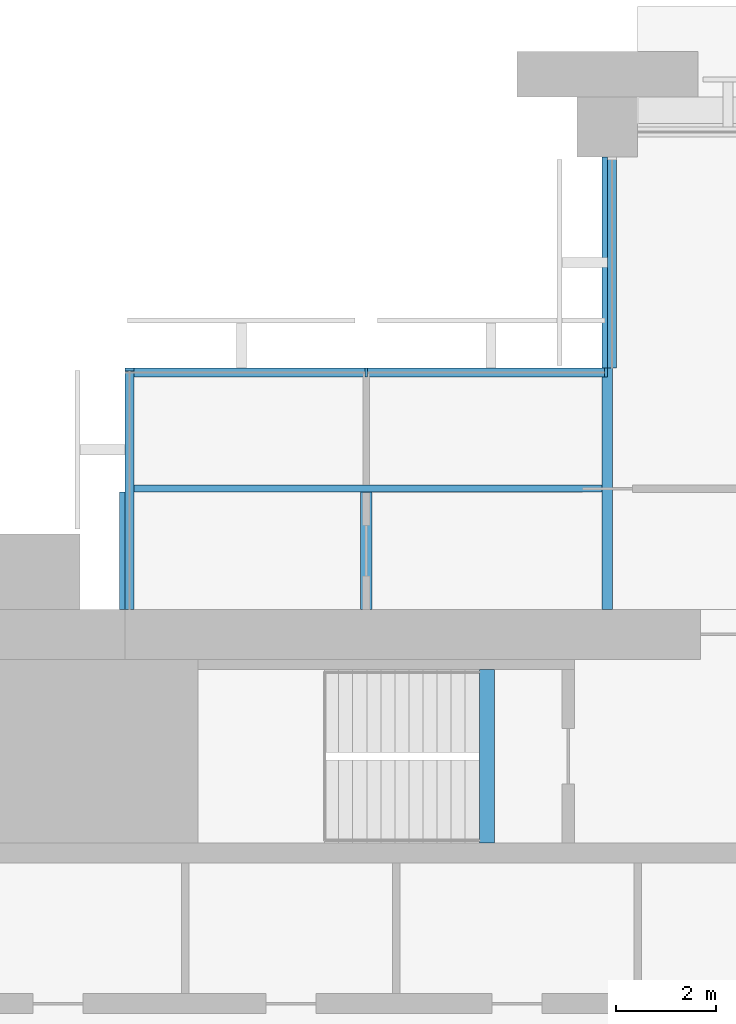
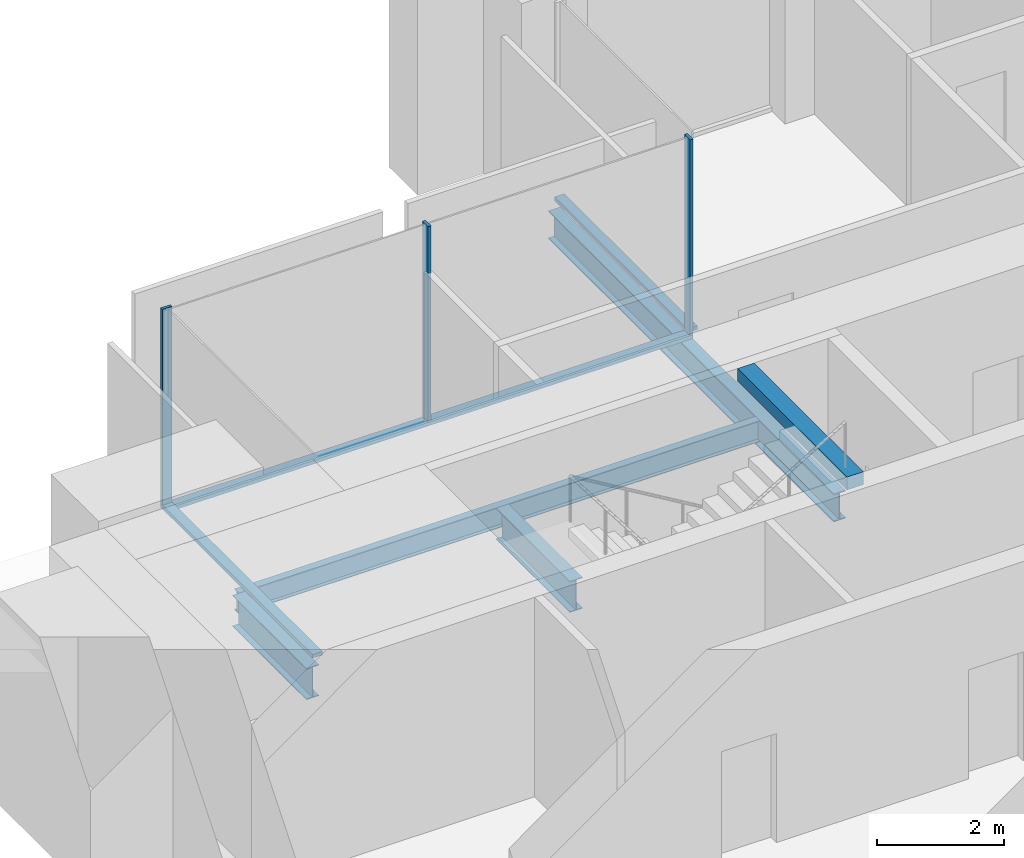
# One storey, part 5 of 15: 6 members, 5 beams, 3 elements without a shape of their own.
"""IFC4 building model written with IfcOpenShell, lengths in metres."""

from ifc_helpers import new_model, si_unit, direction, frame, origin, origin_2d, place, context, subcontext, project, spatial, rectangle, i_section, extrude, material, material_profile, profile_set, type_object, element, aggregate, save


model = new_model("IFC4")

# Units and contexts
model_context = context("Model", 3, precision=1e-05, world=origin(), true_north=direction((0.0, 1.0)))
body_context = subcontext(model_context, "Body", "Model", "MODEL_VIEW")
ifc_project = project(units=[si_unit("LENGTHUNIT", "METRE"), si_unit("AREAUNIT", "SQUARE_METRE"), si_unit("VOLUMEUNIT", "CUBIC_METRE"), si_unit("PLANEANGLEUNIT", "RADIAN"), si_unit("MASSUNIT", "GRAM", prefix="KILO")], contexts=[model_context])

# Site, building, storey
site_placement = place(None, origin())
site = spatial("IfcSite", under=ifc_project, at=site_placement, CompositionType="ELEMENT")
building_placement = place(site_placement, origin())
building = spatial("IfcBuilding", under=site, at=building_placement, Name="Baori Bourse Tower", CompositionType="ELEMENT")
storey_placement = place(building_placement, frame((0.0, 0.0, 140.10009765625)))
storey = spatial("IfcBuildingStorey", under=building, at=storey_placement, Name="L30", CompositionType="ELEMENT", Elevation=140.10009765625)

# Curtain wall, members
ifc_material_1 = material(Name="Pale anodised aluminium", Category="aluminium")
curtain_wall_type = type_object("IfcCurtainWallType", Name="CW2 Curtain wall", PredefinedType="NOTDEFINED", material=ifc_material_1)
curtain_wall_1_placement = place(storey_placement, origin())
curtain_wall_1 = element("IfcCurtainWall", 1, at=curtain_wall_1_placement, inside=storey, type_object=curtain_wall_type, Name="Curtain wall CW2 L30 8", PredefinedType="NOTDEFINED")
ifc_material_2 = material(Name="Pale anodised aluminium", Category="aluminium")
ifc_material_profile_1 = material_profile(ifc_material_2, rectangle(XDim=0.179931640625, YDim=0.054931640625, at=origin_2d()), Name="Mullion 55x180")
ifc_profile_set_1 = profile_set([ifc_material_profile_1], Name="Pale anodised aluminium")
member_type_1 = type_object("IfcMemberType", Name="CW2 Curtain wall mullion", PredefinedType="MULLION", material=ifc_profile_set_1)
member_1_placement = place(storey_placement, frame((14.37255859375, 43.110107421875, 0.06982421875), z_axis=(0.0, 0.0, 1.0), x_axis=(0.0, -1.0, 0.0)))
member_1 = element("IfcMember", 2, at=member_1_placement, type_object=member_type_1, Name="Curtain wall CW2 mullion", PredefinedType="MULLION", context=body_context, shape_type="SweptSolid", body=[
    extrude(rectangle(XDim=0.179931640625, YDim=0.054931640625, at=origin_2d()), origin(), (0.0, 0.0, 1.0), 3.77001953125),
])
member_2_placement = place(storey_placement, frame((9.60009765625, 43.110107421875, 0.06982421875), z_axis=(0.0, 0.0, 1.0), x_axis=(0.0, -1.0, 0.0)))
member_2 = element("IfcMember", 3, at=member_2_placement, type_object=member_type_1, Name="Curtain wall CW2 mullion", PredefinedType="MULLION", context=body_context, shape_type="SweptSolid", body=[
    extrude(rectangle(XDim=0.179931640625, YDim=0.054931640625, at=origin_2d()), origin(), (0.0, 0.0, 1.0), 3.77001953125),
])

# Curtain wall, member
curtain_wall_2_placement = place(storey_placement, origin())
curtain_wall_2 = element("IfcCurtainWall", 4, at=curtain_wall_2_placement, inside=storey, type_object=curtain_wall_type, Name="Curtain wall CW2 L30 9", PredefinedType="NOTDEFINED")
member_3_placement = place(storey_placement, frame((4.889892578125, 43.172607421875, 0.06982421875), z_axis=(0.0, 0.0, 1.0), x_axis=(1.0, 0.0, 0.0)))
member_3 = element("IfcMember", 5, at=member_3_placement, type_object=member_type_1, Name="Curtain wall CW2 mullion", PredefinedType="MULLION", context=body_context, shape_type="SweptSolid", body=[
    extrude(rectangle(XDim=0.179931640625, YDim=0.054931640625, at=origin_2d()), origin(), (0.0, 0.0, 1.0), 3.77001953125),
])

curtain_wall_3_placement = place(storey_placement, origin())
curtain_wall_3 = element("IfcCurtainWall", 6, at=curtain_wall_3_placement, inside=storey, type_object=curtain_wall_type, Name="Curtain wall CW2 L30 7", PredefinedType="NOTDEFINED")
ifc_material_3 = material(Name="Pale anodised aluminium", Category="aluminium")
ifc_material_profile_2 = material_profile(ifc_material_3, rectangle(XDim=0.179931640625, YDim=0.070068359375, at=origin_2d()), Name="Transom 70x180")
ifc_profile_set_2 = profile_set([ifc_material_profile_2], Name="Pale anodised aluminium")
member_type_2 = type_object("IfcMemberType", Name="CW2 Curtain wall transom", PredefinedType="USERDEFINED", material=ifc_profile_set_2)
member_4_placement = place(storey_placement, frame((14.489990234375, 47.39990234375, 0.034912109375), z_axis=(0.0, -1.0, 0.0), x_axis=(1.0, 0.0, 0.0)))
member_4 = element("IfcMember", 7, at=member_4_placement, type_object=member_type_2, Name="Curtain wall CW2 sill rail", ObjectType="TRANSOM", PredefinedType="USERDEFINED", context=body_context, shape_type="SweptSolid", body=[
    extrude(rectangle(XDim=0.179931640625, YDim=0.070068359375, at=origin_2d()), origin(), (0.0, 0.0, 1.0), 4.199951171875),
])
aggregate(curtain_wall_3, [member_4])

# Member
member_5_placement = place(storey_placement, frame((14.39990234375, 43.110107421875, 0.034912109375), z_axis=(-1.0, 0.0, 0.0), x_axis=(0.0, -1.0, 0.0)))
member_5 = element("IfcMember", 8, at=member_5_placement, type_object=member_type_2, Name="Curtain wall CW2 sill rail", ObjectType="TRANSOM", PredefinedType="USERDEFINED", context=body_context, shape_type="SweptSolid", body=[
    extrude(rectangle(XDim=0.179931640625, YDim=0.070068359375, at=origin_2d()), origin(), (0.0, 0.0, 1.0), 9.599853515625),
])

aggregate(curtain_wall_1, [member_5, member_1, member_2])

member_6_placement = place(storey_placement, frame((4.889892578125, 43.199951171875, 0.034912109375), z_axis=(0.0, -1.0, 0.0), x_axis=(1.0, 0.0, 0.0)))
member_6 = element("IfcMember", 9, at=member_6_placement, type_object=member_type_2, Name="Curtain wall CW2 sill rail", ObjectType="TRANSOM", PredefinedType="USERDEFINED", context=body_context, shape_type="SweptSolid", body=[
    extrude(rectangle(XDim=0.179931640625, YDim=0.070068359375, at=origin_2d()), origin(), (0.0, 0.0, 1.0), 4.800048828125),
])

aggregate(curtain_wall_2, [member_6, member_3])

# Beams
ifc_material_4 = material(Name="Steel A992 Gr 50", Category="steel")
ifc_material_profile_3 = material_profile(ifc_material_4, i_section(OverallWidth=0.227783203125, OverallDepth=0.60205078125, WebThickness=0.010498046875, FlangeThickness=0.014892578125, at=origin_2d()), Name="W24x68")
ifc_profile_set_3 = profile_set([ifc_material_profile_3], Name="Steel A992 Gr 50")
beam_type_1 = type_object("IfcBeamType", Name="Core bracket W24x68", PredefinedType="BEAM", material=ifc_profile_set_3)
for number, where, z_axis, x_axis, name in (
    (10, (4.800048828125, 38.39990234375, -0.461181640625), (0.0, 1.0, 0.0), (-1.0, 0.0, 0.0), "Core bracket L30"),
    (11, (9.60009765625, 38.39990234375, -0.461181640625), (0.0, 1.0, 0.0), (-1.0, 0.0, 0.0), "Core bracket L30"),
):
    element("IfcBeam", number, at=place(storey_placement, frame(where, z_axis=z_axis, x_axis=x_axis)), inside=storey, type_object=beam_type_1, Name=name, PredefinedType="BEAM", context=body_context, shape_type="SweptSolid", body=[
        extrude(i_section(OverallWidth=0.227783203125, OverallDepth=0.60205078125, WebThickness=0.010498046875, FlangeThickness=0.014892578125, at=origin_2d()), origin(), (0.0, 0.0, 1.0), 2.329833984375),
    ])
ifc_material_5 = material(Name="Steel A992 Gr 50", Category="steel")
ifc_material_profile_4 = material_profile(ifc_material_5, i_section(OverallWidth=0.21240234375, OverallDepth=0.54345703125, WebThickness=0.01318359375, FlangeThickness=0.021240234375, at=origin_2d()), Name="W21x83")
ifc_profile_set_4 = profile_set([ifc_material_profile_4], Name="Steel A992 Gr 50")
beam_type_2 = type_object("IfcBeamType", Name="Floor beam W21x83", PredefinedType="BEAM", material=ifc_profile_set_4)
beam_1_placement = place(storey_placement, frame((14.39990234375, 38.39990234375, -0.431884765625), z_axis=(0.0, 1.0, 0.0), x_axis=(-1.0, 0.0, 0.0)))
element("IfcBeam", 12, at=beam_1_placement, inside=storey, type_object=beam_type_2, Name="Floor beam L30", PredefinedType="BEAM", context=body_context, shape_type="SweptSolid", body=[
    extrude(i_section(OverallWidth=0.21240234375, OverallDepth=0.54345703125, WebThickness=0.01318359375, FlangeThickness=0.021240234375, at=origin_2d()), origin(), (0.0, 0.0, 1.0), 9.0),
])
ifc_material_6 = material(Name="Concrete f'c 50 MPa", Category="concrete")
ifc_material_profile_5 = material_profile(ifc_material_6, rectangle(XDim=0.300048828125, YDim=0.25, at=origin_2d()), Name="RC 300x250")
ifc_profile_set_5 = profile_set([ifc_material_profile_5], Name="Concrete f'c 50 MPa")
beam_type_3 = type_object("IfcBeamType", Name="Stair nib beam RC 300x250", PredefinedType="BEAM", material=ifc_profile_set_5)
beam_2_placement = place(storey_placement, frame((12.0, 33.75, 3.71484375), z_axis=(0.0, 1.0, 0.0), x_axis=(-1.0, 0.0, 0.0)))
element("IfcBeam", 13, at=beam_2_placement, inside=storey, type_object=beam_type_3, Name="Stair WB nib beam L31", PredefinedType="BEAM", context=body_context, shape_type="SweptSolid", body=[
    extrude(rectangle(XDim=0.300048828125, YDim=0.25, at=origin_2d()), origin(), (0.0, 0.0, 1.0), 3.449951171875),
])
ifc_material_7 = material(Name="Steel A992 Gr 50", Category="steel")
ifc_material_profile_6 = material_profile(ifc_material_7, i_section(OverallWidth=0.140380859375, OverallDepth=0.40380859375, WebThickness=0.007080078125, FlangeThickness=0.01123046875, at=origin_2d()), Name="W16x31")
ifc_profile_set_6 = profile_set([ifc_material_profile_6], Name="Steel A992 Gr 50")
beam_type_4 = type_object("IfcBeamType", Name="Trimmer beam W16x31", PredefinedType="BEAM", material=ifc_profile_set_6)
beam_3_placement = place(storey_placement, frame((4.800048828125, 40.800048828125, -0.362060546875), z_axis=(1.0, 0.0, 0.0), x_axis=(0.0, 1.0, 0.0)))
element("IfcBeam", 14, at=beam_3_placement, inside=storey, type_object=beam_type_4, Name="Trimmer beam L30", PredefinedType="BEAM", context=body_context, shape_type="SweptSolid", body=[
    extrude(i_section(OverallWidth=0.140380859375, OverallDepth=0.40380859375, WebThickness=0.007080078125, FlangeThickness=0.01123046875, at=origin_2d()), origin(), (0.0, 0.0, 1.0), 9.493896484375),
])

save(model, "model.ifc")
